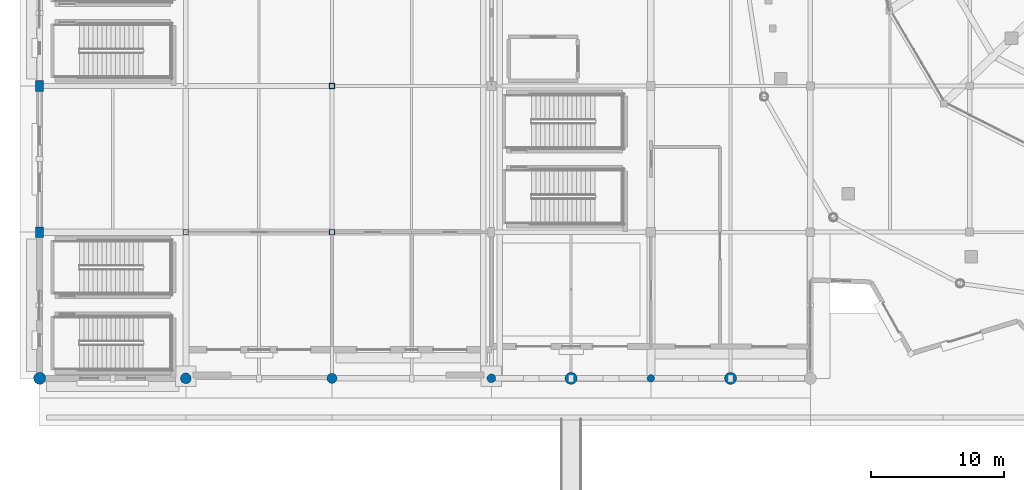
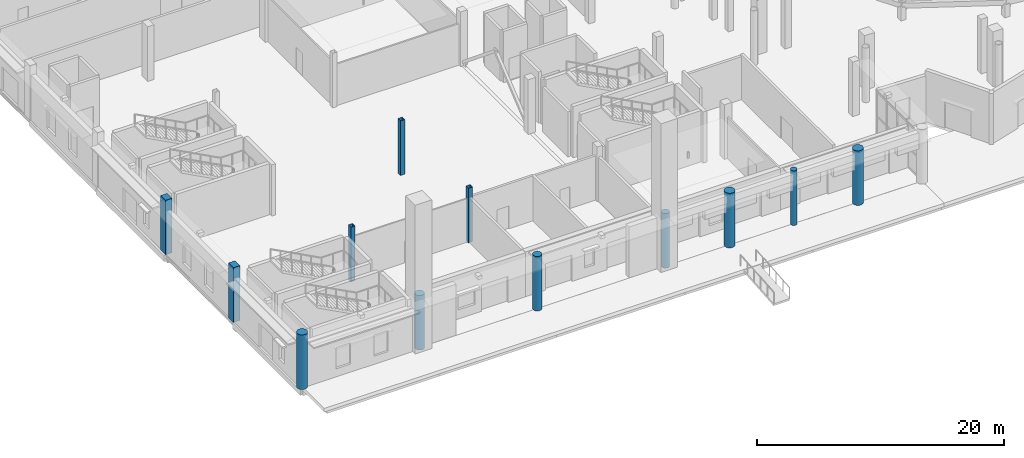
# One storey, part 1 of 120: 12 columns.
"""IFC4 building model written with IfcOpenShell, lengths in metres."""

from ifc_helpers import new_model, si_unit, direction, frame, origin, origin_2d, place, context, subcontext, project, spatial, rectangle, hollow_rectangle, circle, extrude, material, material_profile, profile_set, type_object, element, save


model = new_model("IFC4")

# Units and contexts
model_context = context("Model", 3, precision=1e-05, world=origin(), true_north=direction((0.0, 1.0)))
body_context = subcontext(model_context, "Body", "Model", "MODEL_VIEW")
ifc_project = project(units=[si_unit("LENGTHUNIT", "METRE"), si_unit("AREAUNIT", "SQUARE_METRE"), si_unit("VOLUMEUNIT", "CUBIC_METRE"), si_unit("PLANEANGLEUNIT", "RADIAN"), si_unit("MASSUNIT", "GRAM", prefix="KILO")], contexts=[model_context])

# Site, building, storey
site_placement = place(None, origin())
site = spatial("IfcSite", under=ifc_project, at=site_placement, CompositionType="ELEMENT")
building_placement = place(site_placement, origin())
building = spatial("IfcBuilding", under=site, at=building_placement, Name="Luwafu Chhajja Arena", CompositionType="ELEMENT")
storey_placement = place(building_placement, origin())
storey = spatial("IfcBuildingStorey", under=building, at=storey_placement, Name="L00", CompositionType="ELEMENT", Elevation=0.0)

# Columns
ifc_material_1 = material(Name="Concrete C35/45", Category="concrete")
ifc_material_profile_1 = material_profile(ifc_material_1, circle(Radius=0.375, at=origin_2d()), Name="RC COL D750")
ifc_profile_set_1 = profile_set([ifc_material_profile_1], Name="Concrete C35/45")
column_type_1 = type_object("IfcColumnType", Name="Charbagh Cloister Pier D750", PredefinedType="COLUMN", material=ifc_profile_set_1)
column_1_placement = place(storey_placement, frame((22.0, 0.0, 0.0), z_axis=(0.0, 0.0, 1.0), x_axis=(1.0, 0.0, 0.0)))
element("IfcColumn", 1, at=column_1_placement, inside=storey, type_object=column_type_1, Name="L00 Grid Column 3/A", PredefinedType="COLUMN", context=body_context, shape_type="SweptSolid", body=[
    extrude(circle(Radius=0.375, at=origin_2d()), origin(), (0.0, 0.0, 1.0), 5.39990234375),
])
ifc_material_profile_2 = material_profile(ifc_material_1, circle(Radius=0.324951171875, at=origin_2d()), Name="RC COL D650")
ifc_profile_set_2 = profile_set([ifc_material_profile_2], Name="Concrete C35/45")
column_type_2 = type_object("IfcColumnType", Name="Courtyard Arcade Pier D650", PredefinedType="COLUMN", material=ifc_profile_set_2)
column_2_placement = place(storey_placement, frame((34.0, 0.0, 0.0), z_axis=(0.0, 0.0, 1.0), x_axis=(1.0, 0.0, 0.0)))
element("IfcColumn", 2, at=column_2_placement, inside=storey, type_object=column_type_2, Name="L00 Grid Column 4/A", PredefinedType="COLUMN", context=body_context, shape_type="SweptSolid", body=[
    extrude(circle(Radius=0.324951171875, at=origin_2d()), origin(), (0.0, 0.0, 1.0), 5.39990234375),
])
ifc_material_2 = material(Name="Concrete C40/50", Category="concrete")
ifc_material_profile_3 = material_profile(ifc_material_2, circle(Radius=0.39990234375, at=origin_2d()), Name="RC COL D800")
ifc_profile_set_3 = profile_set([ifc_material_profile_3], Name="Concrete C40/50")
column_type_3 = type_object("IfcColumnType", Name="Foyer Rotunda Pier D800", PredefinedType="COLUMN", material=ifc_profile_set_3)
column_3_placement = place(storey_placement, frame((11.0, 0.0, 0.0), z_axis=(0.0, 0.0, 1.0), x_axis=(1.0, 0.0, 0.0)))
element("IfcColumn", 3, at=column_3_placement, inside=storey, type_object=column_type_3, Name="L00 Grid Column 2/A", PredefinedType="COLUMN", context=body_context, shape_type="SweptSolid", body=[
    extrude(circle(Radius=0.39990234375, at=origin_2d()), origin(), (0.0, 0.0, 1.0), 5.39990234375),
])
ifc_material_profile_4 = material_profile(ifc_material_2, circle(Radius=0.449951171875, at=origin_2d()), Name="RC COL D900")
ifc_profile_set_4 = profile_set([ifc_material_profile_4], Name="Concrete C40/50")
column_type_4 = type_object("IfcColumnType", Name="Mughal Colonnade Drum Pier D900", PredefinedType="COLUMN", material=ifc_profile_set_4)
for number, where, z_axis, x_axis, name in (
    (4, (0.0, 0.0, 0.0), (0.0, 0.0, 1.0), (1.0, 0.0, 0.0), "L00 Grid Column 1/A"),
    (5, (40.0, 0.0, 0.0), (0.0, 0.0, 1.0), (1.0, 0.0, 0.0), "L00 Mughal Riwaq Colonnade Pier SLW03"),
    (6, (52.0, 0.0, 0.0), (0.0, 0.0, 1.0), (1.0, 0.0, 0.0), "L00 Mughal Riwaq Colonnade Pier SLW04"),
):
    element("IfcColumn", number, at=place(storey_placement, frame(where, z_axis=z_axis, x_axis=x_axis)), inside=storey, type_object=column_type_4, Name=name, PredefinedType="COLUMN", context=body_context, shape_type="SweptSolid", body=[
        extrude(circle(Radius=0.449951171875, at=origin_2d()), origin(), (0.0, 0.0, 1.0), 5.39990234375),
    ])
ifc_material_profile_5 = material_profile(ifc_material_2, rectangle(XDim=0.60009765625, YDim=0.800048828125, at=origin_2d()), Name="RC 600x800")
ifc_profile_set_5 = profile_set([ifc_material_profile_5], Name="Concrete C40/50")
column_type_5 = type_object("IfcColumnType", Name="Pishtaq Pier Column RC 600x800", PredefinedType="COLUMN", material=ifc_profile_set_5)
for number, where, z_axis, x_axis, name in (
    (7, (0.0, 11.0, 0.0), (0.0, 0.0, 1.0), (1.0, 0.0, 0.0), "L00 Grid Column 1/B"),
    (8, (0.0, 22.0, 0.0), (0.0, 0.0, 1.0), (1.0, 0.0, 0.0), "L00 Grid Column 1/C"),
):
    element("IfcColumn", number, at=place(storey_placement, frame(where, z_axis=z_axis, x_axis=x_axis)), inside=storey, type_object=column_type_5, Name=name, PredefinedType="COLUMN", context=body_context, shape_type="SweptSolid", body=[
        extrude(rectangle(XDim=0.60009765625, YDim=0.800048828125, at=origin_2d()), origin(), (0.0, 0.0, 1.0), 5.39990234375),
    ])
ifc_material_3 = material(Name="Steel S355", Category="steel")
ifc_material_profile_6 = material_profile(ifc_material_3, hollow_rectangle(XDim=0.39990234375, YDim=0.39990234375, WallThickness=0.02001953125, at=origin_2d()), Name="SHS 400x400x20")
ifc_profile_set_6 = profile_set([ifc_material_profile_6], Name="Steel S355")
column_type_6 = type_object("IfcColumnType", Name="Steel Atrium Column SHS 400", PredefinedType="COLUMN", material=ifc_profile_set_6)
for number, where, z_axis, x_axis, name in (
    (9, (11.0, 11.0, 0.0), (0.0, 0.0, 1.0), (1.0, 0.0, 0.0), "L00 Grid Column 2/B"),
    (10, (22.0, 11.0, 0.0), (0.0, 0.0, 1.0), (1.0, 0.0, 0.0), "L00 Grid Column 3/B"),
    (11, (22.0, 22.0, 0.0), (0.0, 0.0, 1.0), (1.0, 0.0, 0.0), "L00 Grid Column 3/C"),
):
    element("IfcColumn", number, at=place(storey_placement, frame(where, z_axis=z_axis, x_axis=x_axis)), inside=storey, type_object=column_type_6, Name=name, PredefinedType="COLUMN", context=body_context, shape_type="SweptSolid", body=[
        extrude(hollow_rectangle(XDim=0.39990234375, YDim=0.39990234375, WallThickness=0.02001953125, at=origin_2d()), origin(), (0.0, 0.0, 1.0), 5.39990234375),
    ])
ifc_material_profile_7 = material_profile(ifc_material_1, circle(Radius=0.27490234375, at=origin_2d()), Name="RC COL D550")
ifc_profile_set_7 = profile_set([ifc_material_profile_7], Name="Concrete C35/45")
column_type_7 = type_object("IfcColumnType", Name="Terrace Loggia Pier D550", PredefinedType="COLUMN", material=ifc_profile_set_7)
column_4_placement = place(storey_placement, frame((46.0, 0.0, 0.0), z_axis=(0.0, 0.0, 1.0), x_axis=(1.0, 0.0, 0.0)))
element("IfcColumn", 12, at=column_4_placement, inside=storey, type_object=column_type_7, Name="L00 Grid Column 5/A", PredefinedType="COLUMN", context=body_context, shape_type="SweptSolid", body=[
    extrude(circle(Radius=0.27490234375, at=origin_2d()), origin(), (0.0, 0.0, 1.0), 5.39990234375),
])

save(model, "model.ifc")
